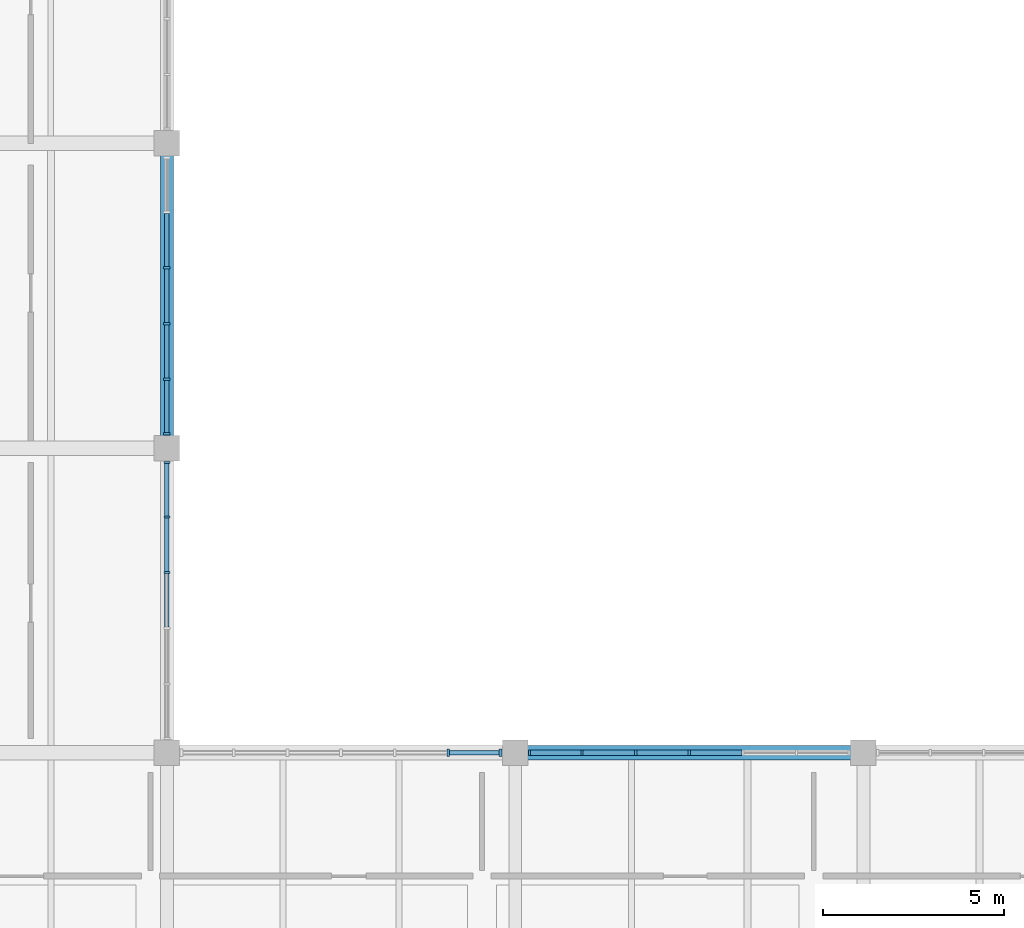
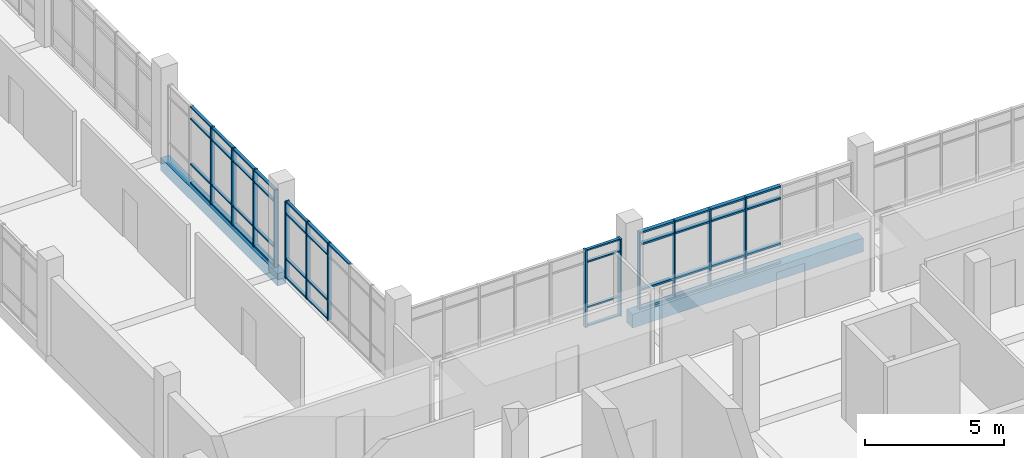
# One storey, part 7 of 57: 58 members, 2 beams, 4 elements without a shape of their own.
"""IFC4 building model written with IfcOpenShell, lengths in metres."""

from ifc_helpers import new_model, si_unit, direction, frame, origin, origin_2d, place, context, subcontext, project, spatial, rectangle, extrude, material, material_profile, profile_set, type_object, element, aggregate, save


model = new_model("IFC4")

# Units and contexts
model_context = context("Model", 3, precision=1e-05, world=origin(), true_north=direction((0.0, 1.0)))
body_context = subcontext(model_context, "Body", "Model", "MODEL_VIEW")
ifc_project = project(units=[si_unit("LENGTHUNIT", "METRE"), si_unit("AREAUNIT", "SQUARE_METRE"), si_unit("VOLUMEUNIT", "CUBIC_METRE"), si_unit("PLANEANGLEUNIT", "RADIAN"), si_unit("MASSUNIT", "GRAM", prefix="KILO")], contexts=[model_context])

# Site, building, storey
site_placement = place(None, origin())
site = spatial("IfcSite", under=ifc_project, at=site_placement, CompositionType="ELEMENT")
building_placement = place(site_placement, origin())
building = spatial("IfcBuilding", under=site, at=building_placement, Name="Oolite Switchyard Hospital", CompositionType="ELEMENT")
storey_placement = place(building_placement, frame((0.0, 0.0, 17.800048828125)))
storey = spatial("IfcBuildingStorey", under=building, at=storey_placement, Name="L04", CompositionType="ELEMENT", Elevation=17.800048828125)

# Beams
ifc_material_1 = material(Name="Concrete C40/50", Category="concrete")
ifc_material_profile_1 = material_profile(ifc_material_1, rectangle(XDim=0.35009765625, YDim=0.550048828125, at=origin_2d()), Name="RCB350X550")
ifc_profile_set_1 = profile_set([ifc_material_profile_1], Name="Concrete C40/50")
beam_type_1 = type_object("IfcBeamType", Name="BM-RC350X550", PredefinedType="BEAM", material=ifc_profile_set_1)
beam_1_placement = place(storey_placement, frame((144.0, 33.60009765625, -0.275146484375), z_axis=(0.0, 1.0, 0.0), x_axis=(-1.0, 0.0, 0.0)))
element("IfcBeam", 1, at=beam_1_placement, inside=storey, type_object=beam_type_1, Name="L04 Y-Girder 2994", PredefinedType="BEAM", context=body_context, shape_type="SweptSolid", body=[
    extrude(rectangle(XDim=0.35009765625, YDim=0.550048828125, at=origin_2d()), origin(), (0.0, 0.0, 1.0), 8.39990234375),
])
ifc_material_profile_2 = material_profile(ifc_material_1, rectangle(XDim=0.39990234375, YDim=0.60009765625, at=origin_2d()), Name="RCB400X600")
ifc_profile_set_2 = profile_set([ifc_material_profile_2], Name="Concrete C40/50")
beam_type_2 = type_object("IfcBeamType", Name="BM-RC400X600", PredefinedType="BEAM", material=ifc_profile_set_2)
beam_2_placement = place(storey_placement, frame((153.60009765625, 25.199951171875, -0.300048828125), z_axis=(1.0, 0.0, 0.0), x_axis=(0.0, 1.0, 0.0)))
element("IfcBeam", 2, at=beam_2_placement, inside=storey, type_object=beam_type_2, Name="L04 X-Girder 2773", PredefinedType="BEAM", context=body_context, shape_type="SweptSolid", body=[
    extrude(rectangle(XDim=0.39990234375, YDim=0.60009765625, at=origin_2d()), origin(), (0.0, 0.0, 1.0), 9.599853515625),
])

# Curtain wall, members
ifc_material_2 = material(Name="Thermally broken aluminum frame with laminated impact glazing", Category="aluminium")
curtain_wall_type_1 = type_object("IfcCurtainWallType", Name="CW-UNIT-96X42", PredefinedType="USERDEFINED", material=ifc_material_2)
curtain_wall_1_placement = place(storey_placement, origin())
curtain_wall_1 = element("IfcCurtainWall", 3, at=curtain_wall_1_placement, inside=storey, type_object=curtain_wall_type_1, Name="L04 Unitised Curtain Wall 359", ObjectType="UNITISED", PredefinedType="USERDEFINED")
ifc_material_3 = material(Name="Aluminium 6063-T6", Category="aluminium")
ifc_material_profile_3 = material_profile(ifc_material_3, rectangle(XDim=0.159912109375, YDim=0.06005859375, at=origin_2d()), Name="CWM60X160")
ifc_profile_set_3 = profile_set([ifc_material_profile_3], Name="Aluminium 6063-T6")
member_type_1 = type_object("IfcMemberType", Name="CW-MUL-180", PredefinedType="MULLION", material=ifc_profile_set_3)
member_1_placement = place(storey_placement, frame((153.9951171875, 25.199951171875, 0.0), z_axis=(0.0, 0.0, 1.0), x_axis=(0.0, 1.0, 0.0)))
member_1 = element("IfcMember", 4, at=member_1_placement, type_object=member_type_1, Name="CW-05 mullion 1", PredefinedType="MULLION", context=body_context, shape_type="SweptSolid", body=[
    extrude(rectangle(XDim=0.159912109375, YDim=0.06005859375, at=origin_2d()), origin(), (0.0, 0.0, 1.0), 3.389892578125),
])
member_2_placement = place(storey_placement, frame((155.443359375, 25.199951171875, 0.0), z_axis=(0.0, 0.0, 1.0), x_axis=(0.0, 1.0, 0.0)))
member_2 = element("IfcMember", 5, at=member_2_placement, type_object=member_type_1, Name="CW-05 mullion 2", PredefinedType="MULLION", context=body_context, shape_type="SweptSolid", body=[
    extrude(rectangle(XDim=0.159912109375, YDim=0.06005859375, at=origin_2d()), origin(), (0.0, 0.0, 1.0), 3.389892578125),
])
member_3_placement = place(storey_placement, frame((156.921630859375, 25.199951171875, 0.0), z_axis=(0.0, 0.0, 1.0), x_axis=(0.0, 1.0, 0.0)))
member_3 = element("IfcMember", 6, at=member_3_placement, type_object=member_type_1, Name="CW-05 mullion 3", PredefinedType="MULLION", context=body_context, shape_type="SweptSolid", body=[
    extrude(rectangle(XDim=0.159912109375, YDim=0.06005859375, at=origin_2d()), origin(), (0.0, 0.0, 1.0), 3.389892578125),
])
member_4_placement = place(storey_placement, frame((158.39990234375, 25.199951171875, 0.0), z_axis=(0.0, 0.0, 1.0), x_axis=(0.0, 1.0, 0.0)))
member_4 = element("IfcMember", 7, at=member_4_placement, type_object=member_type_1, Name="CW-05 mullion 4", PredefinedType="MULLION", context=body_context, shape_type="SweptSolid", body=[
    extrude(rectangle(XDim=0.159912109375, YDim=0.06005859375, at=origin_2d()), origin(), (0.0, 0.0, 1.0), 3.389892578125),
])

curtain_wall_type_2 = type_object("IfcCurtainWallType", Name="CW-UNIT-84X42", PredefinedType="USERDEFINED", material=ifc_material_2)
curtain_wall_2_placement = place(storey_placement, origin())
curtain_wall_2 = element("IfcCurtainWall", 8, at=curtain_wall_2_placement, inside=storey, type_object=curtain_wall_type_2, Name="L04 Unitised Curtain Wall 368", ObjectType="UNITISED", PredefinedType="USERDEFINED")
member_5_placement = place(storey_placement, frame((144.0, 33.205078125, 0.0), z_axis=(0.0, 0.0, 1.0), x_axis=(1.0, 0.0, 0.0)))
member_5 = element("IfcMember", 9, at=member_5_placement, type_object=member_type_1, Name="CW-10 mullion 1", PredefinedType="MULLION", context=body_context, shape_type="SweptSolid", body=[
    extrude(rectangle(XDim=0.159912109375, YDim=0.06005859375, at=origin_2d()), origin(), (0.0, 0.0, 1.0), 3.389892578125),
])
member_6_placement = place(storey_placement, frame((144.0, 31.700927734375, 0.0), z_axis=(0.0, 0.0, 1.0), x_axis=(1.0, 0.0, 0.0)))
member_6 = element("IfcMember", 10, at=member_6_placement, type_object=member_type_1, Name="CW-10 mullion 2", PredefinedType="MULLION", context=body_context, shape_type="SweptSolid", body=[
    extrude(rectangle(XDim=0.159912109375, YDim=0.06005859375, at=origin_2d()), origin(), (0.0, 0.0, 1.0), 3.389892578125),
])
member_7_placement = place(storey_placement, frame((144.0, 30.1669921875, 0.0), z_axis=(0.0, 0.0, 1.0), x_axis=(1.0, 0.0, 0.0)))
member_7 = element("IfcMember", 11, at=member_7_placement, type_object=member_type_1, Name="CW-10 mullion 3", PredefinedType="MULLION", context=body_context, shape_type="SweptSolid", body=[
    extrude(rectangle(XDim=0.159912109375, YDim=0.06005859375, at=origin_2d()), origin(), (0.0, 0.0, 1.0), 3.389892578125),
])

curtain_wall_3_placement = place(storey_placement, origin())
curtain_wall_3 = element("IfcCurtainWall", 12, at=curtain_wall_3_placement, inside=storey, type_object=curtain_wall_type_2, Name="L04 Unitised Curtain Wall 372", ObjectType="UNITISED", PredefinedType="USERDEFINED")
ifc_material_profile_4 = material_profile(ifc_material_3, rectangle(XDim=0.179931640625, YDim=0.070068359375, at=origin_2d()), Name="CWM70X180")
ifc_profile_set_4 = profile_set([ifc_material_profile_4], Name="Aluminium 6063-T6")
member_type_2 = type_object("IfcMemberType", Name="CW-MUL-220", PredefinedType="MULLION", material=ifc_profile_set_4)
member_8_placement = place(storey_placement, frame((144.0, 38.56689453125, 0.0), z_axis=(0.0, 0.0, 1.0), x_axis=(1.0, 0.0, 0.0)))
member_8 = element("IfcMember", 13, at=member_8_placement, type_object=member_type_2, Name="CW-10 mullion 3", PredefinedType="MULLION", context=body_context, shape_type="SweptSolid", body=[
    extrude(rectangle(XDim=0.179931640625, YDim=0.070068359375, at=origin_2d()), origin(), (0.0, 0.0, 1.0), 3.389892578125),
])
member_9_placement = place(storey_placement, frame((144.0, 37.032958984375, 0.0), z_axis=(0.0, 0.0, 1.0), x_axis=(1.0, 0.0, 0.0)))
member_9 = element("IfcMember", 14, at=member_9_placement, type_object=member_type_2, Name="CW-10 mullion 4", PredefinedType="MULLION", context=body_context, shape_type="SweptSolid", body=[
    extrude(rectangle(XDim=0.179931640625, YDim=0.070068359375, at=origin_2d()), origin(), (0.0, 0.0, 1.0), 3.389892578125),
])
member_10_placement = place(storey_placement, frame((144.0, 35.4990234375, 0.0), z_axis=(0.0, 0.0, 1.0), x_axis=(1.0, 0.0, 0.0)))
member_10 = element("IfcMember", 15, at=member_10_placement, type_object=member_type_2, Name="CW-10 mullion 5", PredefinedType="MULLION", context=body_context, shape_type="SweptSolid", body=[
    extrude(rectangle(XDim=0.179931640625, YDim=0.070068359375, at=origin_2d()), origin(), (0.0, 0.0, 1.0), 3.389892578125),
])
member_11_placement = place(storey_placement, frame((144.0, 34.0, 0.0), z_axis=(0.0, 0.0, 1.0), x_axis=(1.0, 0.0, 0.0)))
member_11 = element("IfcMember", 16, at=member_11_placement, type_object=member_type_2, Name="CW-10 mullion 6", PredefinedType="MULLION", context=body_context, shape_type="SweptSolid", body=[
    extrude(rectangle(XDim=0.179931640625, YDim=0.070068359375, at=origin_2d()), origin(), (0.0, 0.0, 1.0), 3.389892578125),
])

curtain_wall_4_placement = place(storey_placement, origin())
curtain_wall_4 = element("IfcCurtainWall", 17, at=curtain_wall_4_placement, inside=storey, type_object=curtain_wall_type_1, Name="L04 Unitised Curtain Wall 358", ObjectType="UNITISED", PredefinedType="USERDEFINED")
ifc_material_profile_5 = material_profile(ifc_material_3, rectangle(XDim=0.199951171875, YDim=0.074951171875, at=origin_2d()), Name="CWM75X200")
ifc_profile_set_5 = profile_set([ifc_material_profile_5], Name="Aluminium 6063-T6")
member_type_3 = type_object("IfcMemberType", Name="CW-MUL-260", PredefinedType="MULLION", material=ifc_profile_set_5)
member_12_placement = place(storey_placement, frame((151.756591796875, 25.199951171875, 0.0), z_axis=(0.0, 0.0, 1.0), x_axis=(0.0, 1.0, 0.0)))
member_12 = element("IfcMember", 18, at=member_12_placement, type_object=member_type_3, Name="CW-05 mullion 6", PredefinedType="MULLION", context=body_context, shape_type="SweptSolid", body=[
    extrude(rectangle(XDim=0.199951171875, YDim=0.074951171875, at=origin_2d()), origin(), (0.0, 0.0, 1.0), 3.389892578125),
])
member_13_placement = place(storey_placement, frame((153.197509765625, 25.199951171875, 0.0), z_axis=(0.0, 0.0, 1.0), x_axis=(0.0, 1.0, 0.0)))
member_13 = element("IfcMember", 19, at=member_13_placement, type_object=member_type_3, Name="CW-05 mullion 7", PredefinedType="MULLION", context=body_context, shape_type="SweptSolid", body=[
    extrude(rectangle(XDim=0.199951171875, YDim=0.074951171875, at=origin_2d()), origin(), (0.0, 0.0, 1.0), 3.389892578125),
])
ifc_material_profile_6 = material_profile(ifc_material_3, rectangle(XDim=0.1201171875, YDim=0.06005859375, at=origin_2d()), Name="CWT60X120")
ifc_profile_set_6 = profile_set([ifc_material_profile_6], Name="Aluminium 6063-T6")
member_type_4 = type_object("IfcMemberType", Name="CW-TRN-150", PredefinedType="USERDEFINED", material=ifc_profile_set_6)
member_14_placement = place(storey_placement, frame((151.794189453125, 25.199951171875, 0.030029296875), z_axis=(1.0, 0.0, 0.0), x_axis=(0.0, 1.0, 0.0)))
member_14 = element("IfcMember", 20, at=member_14_placement, type_object=member_type_4, Name="CW-05 transom 6.1", ObjectType="TRANSOM", PredefinedType="USERDEFINED", context=body_context, shape_type="SweptSolid", body=[
    extrude(rectangle(XDim=0.1201171875, YDim=0.06005859375, at=origin_2d()), origin(), (0.0, 0.0, 1.0), 1.36572265625),
])
member_15_placement = place(storey_placement, frame((151.794189453125, 25.199951171875, 0.849853515625), z_axis=(1.0, 0.0, 0.0), x_axis=(0.0, 1.0, 0.0)))
member_15 = element("IfcMember", 21, at=member_15_placement, type_object=member_type_4, Name="CW-05 transom 6.2", ObjectType="TRANSOM", PredefinedType="USERDEFINED", context=body_context, shape_type="SweptSolid", body=[
    extrude(rectangle(XDim=0.1201171875, YDim=0.06005859375, at=origin_2d()), origin(), (0.0, 0.0, 1.0), 1.36572265625),
])
member_16_placement = place(storey_placement, frame((151.794189453125, 25.199951171875, 2.83984375), z_axis=(1.0, 0.0, 0.0), x_axis=(0.0, 1.0, 0.0)))
member_16 = element("IfcMember", 22, at=member_16_placement, type_object=member_type_4, Name="CW-05 transom 6.3", ObjectType="TRANSOM", PredefinedType="USERDEFINED", context=body_context, shape_type="SweptSolid", body=[
    extrude(rectangle(XDim=0.1201171875, YDim=0.06005859375, at=origin_2d()), origin(), (0.0, 0.0, 1.0), 1.36572265625),
])
member_17_placement = place(storey_placement, frame((151.794189453125, 25.199951171875, 3.35986328125), z_axis=(1.0, 0.0, 0.0), x_axis=(0.0, 1.0, 0.0)))
member_17 = element("IfcMember", 23, at=member_17_placement, type_object=member_type_4, Name="CW-05 transom 6.4", ObjectType="TRANSOM", PredefinedType="USERDEFINED", context=body_context, shape_type="SweptSolid", body=[
    extrude(rectangle(XDim=0.1201171875, YDim=0.06005859375, at=origin_2d()), origin(), (0.0, 0.0, 1.0), 1.36572265625),
])
aggregate(curtain_wall_4, [member_12, member_13, member_14, member_15, member_16, member_17])

# Member
member_18_placement = place(storey_placement, frame((144.0, 33.175048828125, 0.030029296875), z_axis=(0.0, -1.0, 0.0), x_axis=(1.0, 0.0, 0.0)))
member_18 = element("IfcMember", 24, at=member_18_placement, type_object=member_type_4, Name="CW-10 transom 1.1", ObjectType="TRANSOM", PredefinedType="USERDEFINED", context=body_context, shape_type="SweptSolid", body=[
    extrude(rectangle(XDim=0.1201171875, YDim=0.06005859375, at=origin_2d()), origin(), (0.0, 0.0, 1.0), 1.444091796875),
])

member_19_placement = place(storey_placement, frame((144.0, 33.175048828125, 0.849853515625), z_axis=(0.0, -1.0, 0.0), x_axis=(1.0, 0.0, 0.0)))
member_19 = element("IfcMember", 25, at=member_19_placement, type_object=member_type_4, Name="CW-10 transom 1.2", ObjectType="TRANSOM", PredefinedType="USERDEFINED", context=body_context, shape_type="SweptSolid", body=[
    extrude(rectangle(XDim=0.1201171875, YDim=0.06005859375, at=origin_2d()), origin(), (0.0, 0.0, 1.0), 1.444091796875),
])

member_20_placement = place(storey_placement, frame((144.0, 33.175048828125, 2.83984375), z_axis=(0.0, -1.0, 0.0), x_axis=(1.0, 0.0, 0.0)))
member_20 = element("IfcMember", 26, at=member_20_placement, type_object=member_type_4, Name="CW-10 transom 1.3", ObjectType="TRANSOM", PredefinedType="USERDEFINED", context=body_context, shape_type="SweptSolid", body=[
    extrude(rectangle(XDim=0.1201171875, YDim=0.06005859375, at=origin_2d()), origin(), (0.0, 0.0, 1.0), 1.444091796875),
])

member_21_placement = place(storey_placement, frame((144.0, 33.175048828125, 3.35986328125), z_axis=(0.0, -1.0, 0.0), x_axis=(1.0, 0.0, 0.0)))
member_21 = element("IfcMember", 27, at=member_21_placement, type_object=member_type_4, Name="CW-10 transom 1.4", ObjectType="TRANSOM", PredefinedType="USERDEFINED", context=body_context, shape_type="SweptSolid", body=[
    extrude(rectangle(XDim=0.1201171875, YDim=0.06005859375, at=origin_2d()), origin(), (0.0, 0.0, 1.0), 1.444091796875),
])

member_22_placement = place(storey_placement, frame((144.0, 31.6708984375, 0.030029296875), z_axis=(0.0, -1.0, 0.0), x_axis=(1.0, 0.0, 0.0)))
member_22 = element("IfcMember", 28, at=member_22_placement, type_object=member_type_4, Name="CW-10 transom 2.1", ObjectType="TRANSOM", PredefinedType="USERDEFINED", context=body_context, shape_type="SweptSolid", body=[
    extrude(rectangle(XDim=0.1201171875, YDim=0.06005859375, at=origin_2d()), origin(), (0.0, 0.0, 1.0), 1.473876953125),
])

member_23_placement = place(storey_placement, frame((144.0, 31.6708984375, 0.849853515625), z_axis=(0.0, -1.0, 0.0), x_axis=(1.0, 0.0, 0.0)))
member_23 = element("IfcMember", 29, at=member_23_placement, type_object=member_type_4, Name="CW-10 transom 2.2", ObjectType="TRANSOM", PredefinedType="USERDEFINED", context=body_context, shape_type="SweptSolid", body=[
    extrude(rectangle(XDim=0.1201171875, YDim=0.06005859375, at=origin_2d()), origin(), (0.0, 0.0, 1.0), 1.473876953125),
])

member_24_placement = place(storey_placement, frame((144.0, 31.6708984375, 2.83984375), z_axis=(0.0, -1.0, 0.0), x_axis=(1.0, 0.0, 0.0)))
member_24 = element("IfcMember", 30, at=member_24_placement, type_object=member_type_4, Name="CW-10 transom 2.3", ObjectType="TRANSOM", PredefinedType="USERDEFINED", context=body_context, shape_type="SweptSolid", body=[
    extrude(rectangle(XDim=0.1201171875, YDim=0.06005859375, at=origin_2d()), origin(), (0.0, 0.0, 1.0), 1.473876953125),
])

member_25_placement = place(storey_placement, frame((144.0, 31.6708984375, 3.35986328125), z_axis=(0.0, -1.0, 0.0), x_axis=(1.0, 0.0, 0.0)))
member_25 = element("IfcMember", 31, at=member_25_placement, type_object=member_type_4, Name="CW-10 transom 2.4", ObjectType="TRANSOM", PredefinedType="USERDEFINED", context=body_context, shape_type="SweptSolid", body=[
    extrude(rectangle(XDim=0.1201171875, YDim=0.06005859375, at=origin_2d()), origin(), (0.0, 0.0, 1.0), 1.473876953125),
])

member_26_placement = place(storey_placement, frame((144.0, 30.136962890625, 3.35986328125), z_axis=(0.0, -1.0, 0.0), x_axis=(1.0, 0.0, 0.0)))
member_26 = element("IfcMember", 32, at=member_26_placement, type_object=member_type_4, Name="CW-10 transom 3.4", ObjectType="TRANSOM", PredefinedType="USERDEFINED", context=body_context, shape_type="SweptSolid", body=[
    extrude(rectangle(XDim=0.1201171875, YDim=0.06005859375, at=origin_2d()), origin(), (0.0, 0.0, 1.0), 1.473876953125),
])

aggregate(curtain_wall_2, [member_5, member_6, member_7, member_18, member_19, member_20, member_21, member_22, member_23, member_24, member_25, member_26])

member_27_placement = place(storey_placement, frame((144.0, 40.06591796875, 0.030029296875), z_axis=(0.0, -1.0, 0.0), x_axis=(1.0, 0.0, 0.0)))
member_27 = element("IfcMember", 33, at=member_27_placement, type_object=member_type_4, Name="CW-10 transom 2.1", ObjectType="TRANSOM", PredefinedType="USERDEFINED", context=body_context, shape_type="SweptSolid", body=[
    extrude(rectangle(XDim=0.1201171875, YDim=0.06005859375, at=origin_2d()), origin(), (0.0, 0.0, 1.0), 1.4638671875),
])

member_28_placement = place(storey_placement, frame((144.0, 40.06591796875, 0.849853515625), z_axis=(0.0, -1.0, 0.0), x_axis=(1.0, 0.0, 0.0)))
member_28 = element("IfcMember", 34, at=member_28_placement, type_object=member_type_4, Name="CW-10 transom 2.2", ObjectType="TRANSOM", PredefinedType="USERDEFINED", context=body_context, shape_type="SweptSolid", body=[
    extrude(rectangle(XDim=0.1201171875, YDim=0.06005859375, at=origin_2d()), origin(), (0.0, 0.0, 1.0), 1.4638671875),
])

member_29_placement = place(storey_placement, frame((144.0, 40.06591796875, 2.83984375), z_axis=(0.0, -1.0, 0.0), x_axis=(1.0, 0.0, 0.0)))
member_29 = element("IfcMember", 35, at=member_29_placement, type_object=member_type_4, Name="CW-10 transom 2.3", ObjectType="TRANSOM", PredefinedType="USERDEFINED", context=body_context, shape_type="SweptSolid", body=[
    extrude(rectangle(XDim=0.1201171875, YDim=0.06005859375, at=origin_2d()), origin(), (0.0, 0.0, 1.0), 1.4638671875),
])

member_30_placement = place(storey_placement, frame((144.0, 40.06591796875, 3.35986328125), z_axis=(0.0, -1.0, 0.0), x_axis=(1.0, 0.0, 0.0)))
member_30 = element("IfcMember", 36, at=member_30_placement, type_object=member_type_4, Name="CW-10 transom 2.4", ObjectType="TRANSOM", PredefinedType="USERDEFINED", context=body_context, shape_type="SweptSolid", body=[
    extrude(rectangle(XDim=0.1201171875, YDim=0.06005859375, at=origin_2d()), origin(), (0.0, 0.0, 1.0), 1.4638671875),
])

member_31_placement = place(storey_placement, frame((144.0, 38.531982421875, 0.030029296875), z_axis=(0.0, -1.0, 0.0), x_axis=(1.0, 0.0, 0.0)))
member_31 = element("IfcMember", 37, at=member_31_placement, type_object=member_type_4, Name="CW-10 transom 3.1", ObjectType="TRANSOM", PredefinedType="USERDEFINED", context=body_context, shape_type="SweptSolid", body=[
    extrude(rectangle(XDim=0.1201171875, YDim=0.06005859375, at=origin_2d()), origin(), (0.0, 0.0, 1.0), 1.4638671875),
])

member_32_placement = place(storey_placement, frame((144.0, 38.531982421875, 0.849853515625), z_axis=(0.0, -1.0, 0.0), x_axis=(1.0, 0.0, 0.0)))
member_32 = element("IfcMember", 38, at=member_32_placement, type_object=member_type_4, Name="CW-10 transom 3.2", ObjectType="TRANSOM", PredefinedType="USERDEFINED", context=body_context, shape_type="SweptSolid", body=[
    extrude(rectangle(XDim=0.1201171875, YDim=0.06005859375, at=origin_2d()), origin(), (0.0, 0.0, 1.0), 1.4638671875),
])

member_33_placement = place(storey_placement, frame((144.0, 38.531982421875, 2.83984375), z_axis=(0.0, -1.0, 0.0), x_axis=(1.0, 0.0, 0.0)))
member_33 = element("IfcMember", 39, at=member_33_placement, type_object=member_type_4, Name="CW-10 transom 3.3", ObjectType="TRANSOM", PredefinedType="USERDEFINED", context=body_context, shape_type="SweptSolid", body=[
    extrude(rectangle(XDim=0.1201171875, YDim=0.06005859375, at=origin_2d()), origin(), (0.0, 0.0, 1.0), 1.4638671875),
])

member_34_placement = place(storey_placement, frame((144.0, 38.531982421875, 3.35986328125), z_axis=(0.0, -1.0, 0.0), x_axis=(1.0, 0.0, 0.0)))
member_34 = element("IfcMember", 40, at=member_34_placement, type_object=member_type_4, Name="CW-10 transom 3.4", ObjectType="TRANSOM", PredefinedType="USERDEFINED", context=body_context, shape_type="SweptSolid", body=[
    extrude(rectangle(XDim=0.1201171875, YDim=0.06005859375, at=origin_2d()), origin(), (0.0, 0.0, 1.0), 1.4638671875),
])

member_35_placement = place(storey_placement, frame((144.0, 36.998046875, 0.030029296875), z_axis=(0.0, -1.0, 0.0), x_axis=(1.0, 0.0, 0.0)))
member_35 = element("IfcMember", 41, at=member_35_placement, type_object=member_type_4, Name="CW-10 transom 4.1", ObjectType="TRANSOM", PredefinedType="USERDEFINED", context=body_context, shape_type="SweptSolid", body=[
    extrude(rectangle(XDim=0.1201171875, YDim=0.06005859375, at=origin_2d()), origin(), (0.0, 0.0, 1.0), 1.464111328125),
])

member_36_placement = place(storey_placement, frame((144.0, 36.998046875, 0.849853515625), z_axis=(0.0, -1.0, 0.0), x_axis=(1.0, 0.0, 0.0)))
member_36 = element("IfcMember", 42, at=member_36_placement, type_object=member_type_4, Name="CW-10 transom 4.2", ObjectType="TRANSOM", PredefinedType="USERDEFINED", context=body_context, shape_type="SweptSolid", body=[
    extrude(rectangle(XDim=0.1201171875, YDim=0.06005859375, at=origin_2d()), origin(), (0.0, 0.0, 1.0), 1.464111328125),
])

member_37_placement = place(storey_placement, frame((144.0, 36.998046875, 2.83984375), z_axis=(0.0, -1.0, 0.0), x_axis=(1.0, 0.0, 0.0)))
member_37 = element("IfcMember", 43, at=member_37_placement, type_object=member_type_4, Name="CW-10 transom 4.3", ObjectType="TRANSOM", PredefinedType="USERDEFINED", context=body_context, shape_type="SweptSolid", body=[
    extrude(rectangle(XDim=0.1201171875, YDim=0.06005859375, at=origin_2d()), origin(), (0.0, 0.0, 1.0), 1.464111328125),
])

member_38_placement = place(storey_placement, frame((144.0, 36.998046875, 3.35986328125), z_axis=(0.0, -1.0, 0.0), x_axis=(1.0, 0.0, 0.0)))
member_38 = element("IfcMember", 44, at=member_38_placement, type_object=member_type_4, Name="CW-10 transom 4.4", ObjectType="TRANSOM", PredefinedType="USERDEFINED", context=body_context, shape_type="SweptSolid", body=[
    extrude(rectangle(XDim=0.1201171875, YDim=0.06005859375, at=origin_2d()), origin(), (0.0, 0.0, 1.0), 1.464111328125),
])

member_39_placement = place(storey_placement, frame((144.0, 35.464111328125, 0.030029296875), z_axis=(0.0, -1.0, 0.0), x_axis=(1.0, 0.0, 0.0)))
member_39 = element("IfcMember", 45, at=member_39_placement, type_object=member_type_4, Name="CW-10 transom 5.1", ObjectType="TRANSOM", PredefinedType="USERDEFINED", context=body_context, shape_type="SweptSolid", body=[
    extrude(rectangle(XDim=0.1201171875, YDim=0.06005859375, at=origin_2d()), origin(), (0.0, 0.0, 1.0), 1.42919921875),
])

member_40_placement = place(storey_placement, frame((144.0, 35.464111328125, 0.849853515625), z_axis=(0.0, -1.0, 0.0), x_axis=(1.0, 0.0, 0.0)))
member_40 = element("IfcMember", 46, at=member_40_placement, type_object=member_type_4, Name="CW-10 transom 5.2", ObjectType="TRANSOM", PredefinedType="USERDEFINED", context=body_context, shape_type="SweptSolid", body=[
    extrude(rectangle(XDim=0.1201171875, YDim=0.06005859375, at=origin_2d()), origin(), (0.0, 0.0, 1.0), 1.42919921875),
])

member_41_placement = place(storey_placement, frame((144.0, 35.464111328125, 2.83984375), z_axis=(0.0, -1.0, 0.0), x_axis=(1.0, 0.0, 0.0)))
member_41 = element("IfcMember", 47, at=member_41_placement, type_object=member_type_4, Name="CW-10 transom 5.3", ObjectType="TRANSOM", PredefinedType="USERDEFINED", context=body_context, shape_type="SweptSolid", body=[
    extrude(rectangle(XDim=0.1201171875, YDim=0.06005859375, at=origin_2d()), origin(), (0.0, 0.0, 1.0), 1.42919921875),
])

member_42_placement = place(storey_placement, frame((144.0, 35.464111328125, 3.35986328125), z_axis=(0.0, -1.0, 0.0), x_axis=(1.0, 0.0, 0.0)))
member_42 = element("IfcMember", 48, at=member_42_placement, type_object=member_type_4, Name="CW-10 transom 5.4", ObjectType="TRANSOM", PredefinedType="USERDEFINED", context=body_context, shape_type="SweptSolid", body=[
    extrude(rectangle(XDim=0.1201171875, YDim=0.06005859375, at=origin_2d()), origin(), (0.0, 0.0, 1.0), 1.42919921875),
])

aggregate(curtain_wall_3, [member_8, member_9, member_10, member_11, member_27, member_28, member_29, member_30, member_31, member_32, member_33, member_34, member_35, member_36, member_37, member_38, member_39, member_40, member_41, member_42])

ifc_material_profile_7 = material_profile(ifc_material_3, rectangle(XDim=0.159912109375, YDim=0.074951171875, at=origin_2d()), Name="CWT75X160")
ifc_profile_set_7 = profile_set([ifc_material_profile_7], Name="Aluminium 6063-T6")
member_type_5 = type_object("IfcMemberType", Name="CW-TRN-180", PredefinedType="USERDEFINED", material=ifc_profile_set_7)
member_43_placement = place(storey_placement, frame((154.02490234375, 25.199951171875, 0.037353515625), z_axis=(1.0, 0.0, 0.0), x_axis=(0.0, 1.0, 0.0)))
member_43 = element("IfcMember", 49, at=member_43_placement, type_object=member_type_5, Name="CW-05 transom 1.1", ObjectType="TRANSOM", PredefinedType="USERDEFINED", context=body_context, shape_type="SweptSolid", body=[
    extrude(rectangle(XDim=0.159912109375, YDim=0.074951171875, at=origin_2d()), origin(), (0.0, 0.0, 1.0), 1.388427734375),
])

member_44_placement = place(storey_placement, frame((154.02490234375, 25.199951171875, 0.849853515625), z_axis=(1.0, 0.0, 0.0), x_axis=(0.0, 1.0, 0.0)))
member_44 = element("IfcMember", 50, at=member_44_placement, type_object=member_type_5, Name="CW-05 transom 1.2", ObjectType="TRANSOM", PredefinedType="USERDEFINED", context=body_context, shape_type="SweptSolid", body=[
    extrude(rectangle(XDim=0.159912109375, YDim=0.074951171875, at=origin_2d()), origin(), (0.0, 0.0, 1.0), 1.388427734375),
])

member_45_placement = place(storey_placement, frame((154.02490234375, 25.199951171875, 2.83984375), z_axis=(1.0, 0.0, 0.0), x_axis=(0.0, 1.0, 0.0)))
member_45 = element("IfcMember", 51, at=member_45_placement, type_object=member_type_5, Name="CW-05 transom 1.3", ObjectType="TRANSOM", PredefinedType="USERDEFINED", context=body_context, shape_type="SweptSolid", body=[
    extrude(rectangle(XDim=0.159912109375, YDim=0.074951171875, at=origin_2d()), origin(), (0.0, 0.0, 1.0), 1.388427734375),
])

member_46_placement = place(storey_placement, frame((154.02490234375, 25.199951171875, 3.3525390625), z_axis=(1.0, 0.0, 0.0), x_axis=(0.0, 1.0, 0.0)))
member_46 = element("IfcMember", 52, at=member_46_placement, type_object=member_type_5, Name="CW-05 transom 1.4", ObjectType="TRANSOM", PredefinedType="USERDEFINED", context=body_context, shape_type="SweptSolid", body=[
    extrude(rectangle(XDim=0.159912109375, YDim=0.074951171875, at=origin_2d()), origin(), (0.0, 0.0, 1.0), 1.388427734375),
])

member_47_placement = place(storey_placement, frame((155.473388671875, 25.199951171875, 0.037353515625), z_axis=(1.0, 0.0, 0.0), x_axis=(0.0, 1.0, 0.0)))
member_47 = element("IfcMember", 53, at=member_47_placement, type_object=member_type_5, Name="CW-05 transom 2.1", ObjectType="TRANSOM", PredefinedType="USERDEFINED", context=body_context, shape_type="SweptSolid", body=[
    extrude(rectangle(XDim=0.159912109375, YDim=0.074951171875, at=origin_2d()), origin(), (0.0, 0.0, 1.0), 1.418212890625),
])

member_48_placement = place(storey_placement, frame((155.473388671875, 25.199951171875, 0.849853515625), z_axis=(1.0, 0.0, 0.0), x_axis=(0.0, 1.0, 0.0)))
member_48 = element("IfcMember", 54, at=member_48_placement, type_object=member_type_5, Name="CW-05 transom 2.2", ObjectType="TRANSOM", PredefinedType="USERDEFINED", context=body_context, shape_type="SweptSolid", body=[
    extrude(rectangle(XDim=0.159912109375, YDim=0.074951171875, at=origin_2d()), origin(), (0.0, 0.0, 1.0), 1.418212890625),
])

member_49_placement = place(storey_placement, frame((155.473388671875, 25.199951171875, 2.83984375), z_axis=(1.0, 0.0, 0.0), x_axis=(0.0, 1.0, 0.0)))
member_49 = element("IfcMember", 55, at=member_49_placement, type_object=member_type_5, Name="CW-05 transom 2.3", ObjectType="TRANSOM", PredefinedType="USERDEFINED", context=body_context, shape_type="SweptSolid", body=[
    extrude(rectangle(XDim=0.159912109375, YDim=0.074951171875, at=origin_2d()), origin(), (0.0, 0.0, 1.0), 1.418212890625),
])

member_50_placement = place(storey_placement, frame((155.473388671875, 25.199951171875, 3.3525390625), z_axis=(1.0, 0.0, 0.0), x_axis=(0.0, 1.0, 0.0)))
member_50 = element("IfcMember", 56, at=member_50_placement, type_object=member_type_5, Name="CW-05 transom 2.4", ObjectType="TRANSOM", PredefinedType="USERDEFINED", context=body_context, shape_type="SweptSolid", body=[
    extrude(rectangle(XDim=0.159912109375, YDim=0.074951171875, at=origin_2d()), origin(), (0.0, 0.0, 1.0), 1.418212890625),
])

member_51_placement = place(storey_placement, frame((156.95166015625, 25.199951171875, 0.037353515625), z_axis=(1.0, 0.0, 0.0), x_axis=(0.0, 1.0, 0.0)))
member_51 = element("IfcMember", 57, at=member_51_placement, type_object=member_type_5, Name="CW-05 transom 3.1", ObjectType="TRANSOM", PredefinedType="USERDEFINED", context=body_context, shape_type="SweptSolid", body=[
    extrude(rectangle(XDim=0.159912109375, YDim=0.074951171875, at=origin_2d()), origin(), (0.0, 0.0, 1.0), 1.41845703125),
])

member_52_placement = place(storey_placement, frame((156.95166015625, 25.199951171875, 0.849853515625), z_axis=(1.0, 0.0, 0.0), x_axis=(0.0, 1.0, 0.0)))
member_52 = element("IfcMember", 58, at=member_52_placement, type_object=member_type_5, Name="CW-05 transom 3.2", ObjectType="TRANSOM", PredefinedType="USERDEFINED", context=body_context, shape_type="SweptSolid", body=[
    extrude(rectangle(XDim=0.159912109375, YDim=0.074951171875, at=origin_2d()), origin(), (0.0, 0.0, 1.0), 1.41845703125),
])

member_53_placement = place(storey_placement, frame((156.95166015625, 25.199951171875, 2.83984375), z_axis=(1.0, 0.0, 0.0), x_axis=(0.0, 1.0, 0.0)))
member_53 = element("IfcMember", 59, at=member_53_placement, type_object=member_type_5, Name="CW-05 transom 3.3", ObjectType="TRANSOM", PredefinedType="USERDEFINED", context=body_context, shape_type="SweptSolid", body=[
    extrude(rectangle(XDim=0.159912109375, YDim=0.074951171875, at=origin_2d()), origin(), (0.0, 0.0, 1.0), 1.41845703125),
])

member_54_placement = place(storey_placement, frame((156.95166015625, 25.199951171875, 3.3525390625), z_axis=(1.0, 0.0, 0.0), x_axis=(0.0, 1.0, 0.0)))
member_54 = element("IfcMember", 60, at=member_54_placement, type_object=member_type_5, Name="CW-05 transom 3.4", ObjectType="TRANSOM", PredefinedType="USERDEFINED", context=body_context, shape_type="SweptSolid", body=[
    extrude(rectangle(XDim=0.159912109375, YDim=0.074951171875, at=origin_2d()), origin(), (0.0, 0.0, 1.0), 1.41845703125),
])

member_55_placement = place(storey_placement, frame((158.429931640625, 25.199951171875, 0.037353515625), z_axis=(1.0, 0.0, 0.0), x_axis=(0.0, 1.0, 0.0)))
member_55 = element("IfcMember", 61, at=member_55_placement, type_object=member_type_5, Name="CW-05 transom 4.1", ObjectType="TRANSOM", PredefinedType="USERDEFINED", context=body_context, shape_type="SweptSolid", body=[
    extrude(rectangle(XDim=0.159912109375, YDim=0.074951171875, at=origin_2d()), origin(), (0.0, 0.0, 1.0), 1.41845703125),
])

member_56_placement = place(storey_placement, frame((158.429931640625, 25.199951171875, 0.849853515625), z_axis=(1.0, 0.0, 0.0), x_axis=(0.0, 1.0, 0.0)))
member_56 = element("IfcMember", 62, at=member_56_placement, type_object=member_type_5, Name="CW-05 transom 4.2", ObjectType="TRANSOM", PredefinedType="USERDEFINED", context=body_context, shape_type="SweptSolid", body=[
    extrude(rectangle(XDim=0.159912109375, YDim=0.074951171875, at=origin_2d()), origin(), (0.0, 0.0, 1.0), 1.41845703125),
])

member_57_placement = place(storey_placement, frame((158.429931640625, 25.199951171875, 2.83984375), z_axis=(1.0, 0.0, 0.0), x_axis=(0.0, 1.0, 0.0)))
member_57 = element("IfcMember", 63, at=member_57_placement, type_object=member_type_5, Name="CW-05 transom 4.3", ObjectType="TRANSOM", PredefinedType="USERDEFINED", context=body_context, shape_type="SweptSolid", body=[
    extrude(rectangle(XDim=0.159912109375, YDim=0.074951171875, at=origin_2d()), origin(), (0.0, 0.0, 1.0), 1.41845703125),
])

member_58_placement = place(storey_placement, frame((158.429931640625, 25.199951171875, 3.3525390625), z_axis=(1.0, 0.0, 0.0), x_axis=(0.0, 1.0, 0.0)))
member_58 = element("IfcMember", 64, at=member_58_placement, type_object=member_type_5, Name="CW-05 transom 4.4", ObjectType="TRANSOM", PredefinedType="USERDEFINED", context=body_context, shape_type="SweptSolid", body=[
    extrude(rectangle(XDim=0.159912109375, YDim=0.074951171875, at=origin_2d()), origin(), (0.0, 0.0, 1.0), 1.41845703125),
])

aggregate(curtain_wall_1, [member_1, member_2, member_3, member_4, member_43, member_44, member_45, member_46, member_47, member_48, member_49, member_50, member_51, member_52, member_53, member_54, member_55, member_56, member_57, member_58])

save(model, "model.ifc")
